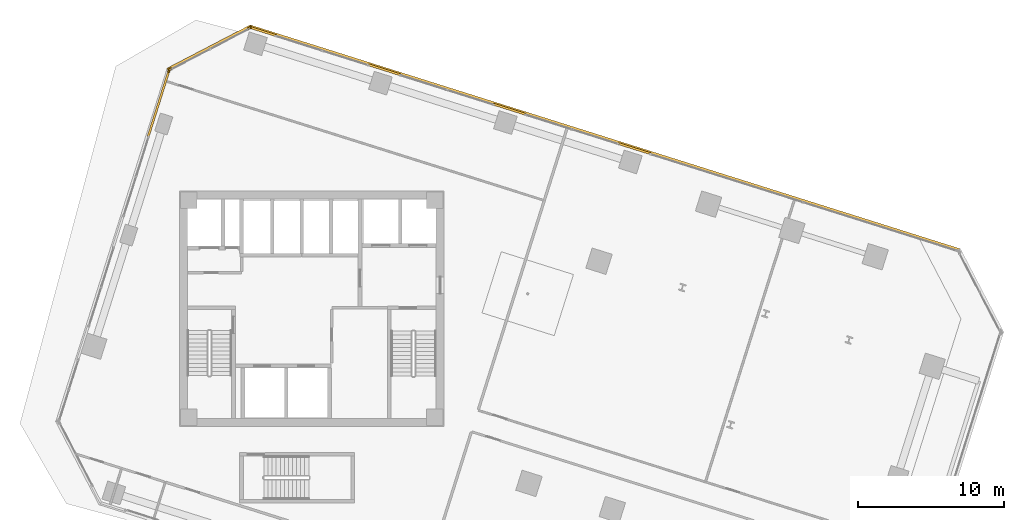
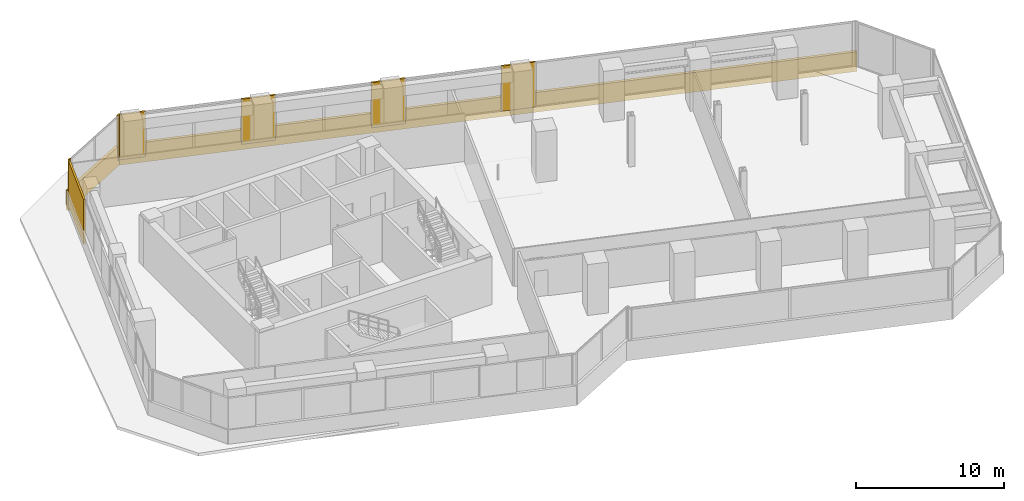
# One storey, part 27 of 28: 10 coverings.
"""IFC4 building model written with IfcOpenShell, lengths in metres."""

from ifc_helpers import new_model, si_unit, direction, frame, origin, origin_2d, place, context, subcontext, project, spatial, rectangle, extrude, source, transform, mapped, material, layer, layer_set, type_object, element, save


model = new_model("IFC4")

# Units and contexts
model_context = context("Model", 3, precision=1e-05, world=origin(), true_north=direction((0.0, 1.0)))
body_context = subcontext(model_context, "Body", "Model", "MODEL_VIEW")
ifc_project = project(units=[si_unit("LENGTHUNIT", "METRE"), si_unit("AREAUNIT", "SQUARE_METRE"), si_unit("VOLUMEUNIT", "CUBIC_METRE"), si_unit("PLANEANGLEUNIT", "RADIAN"), si_unit("MASSUNIT", "GRAM", prefix="KILO")], contexts=[model_context])

# Site, building, storey
site_placement = place(None, origin())
site = spatial("IfcSite", under=ifc_project, at=site_placement, CompositionType="ELEMENT")
building_placement = place(site_placement, origin())
building = spatial("IfcBuilding", under=site, at=building_placement, Name="Torre Montelarca", CompositionType="ELEMENT")
storey_placement = place(building_placement, frame((0.0, 0.0, 112.60009765625)))
storey = spatial("IfcBuildingStorey", under=building, at=storey_placement, Name="L25", CompositionType="ELEMENT", Elevation=112.60009765625)

# Coverings
ifc_material = material(Name="Bush-hammered warm white precast concrete C45/55", Category="concrete")
ifc_layer = layer(ifc_material, 0.139892578125, Name="Bush-hammered warm white precast concrete C45/55", Category="concrete")
ifc_layer_set = layer_set([ifc_layer], Name="Bush-hammered warm white precast concrete C45/55")
covering_type = type_object("IfcCoveringType", Name="COV-TRAY-CLAD", PredefinedType="CLADDING", material=ifc_layer_set)
shared_shape_1 = source(origin(), body_context, "Body", "SweptSolid", [
    extrude(rectangle(XDim=6.48388671875, YDim=0.219970703125, at=origin_2d()), origin(), (0.0, 0.0, 1.0), 1.6201171875),
])
covering_1_placement = place(storey_placement, frame((10.973876953125, 49.923583984375, -0.4501953125), z_axis=(0.0, 0.0, 1.0), x_axis=(-0.88701405677, -0.46174242072, 0.0)))
element("IfcCovering", 1, at=covering_1_placement, inside=storey, type_object=covering_type, Name="L25 Architectural White Spandrel Tray Band TRYBOT-09", PredefinedType="CLADDING", context=body_context, shape_type="MappedRepresentation", body=[
    mapped(shared_shape_1, transform((0.0, 0.0, 0.0), scale=1.0)),
])
shared_shape_2 = source(origin(), body_context, "Body", "SweptSolid", [
    extrude(rectangle(XDim=51.219970703125, YDim=0.219970703125, at=origin_2d()), origin(), (0.0, 0.0, 1.0), 1.6201171875),
])
covering_2_placement = place(storey_placement, frame((38.140869140625, 43.7080078125, -0.4501953125), z_axis=(0.0, 0.0, 1.0), x_axis=(-0.953717475577, 0.300704134954, 0.0)))
element("IfcCovering", 2, at=covering_2_placement, inside=storey, type_object=covering_type, Name="L25 Architectural White Spandrel Tray Band TRYBOT-08", PredefinedType="CLADDING", context=body_context, shape_type="MappedRepresentation", body=[
    mapped(shared_shape_2, transform((0.0, 0.0, 0.0), scale=1.0)),
])
shared_shape_3 = source(origin(), body_context, "Body", "SweptSolid", [
    extrude(rectangle(XDim=1.864013671875, YDim=0.139892578125, at=origin_2d()), origin(), (0.0, 0.0, 1.0), 3.719970703125),
])
covering_3_placement = place(storey_placement, frame((14.659423828125, 51.048583984375, 0.0), z_axis=(0.0, 0.0, 1.0), x_axis=(-0.953717475577, 0.300704134954, 0.0)))
element("IfcCovering", 3, at=covering_3_placement, inside=storey, type_object=covering_type, Name="L25 Architectural Column Pier Cladding E08-5", PredefinedType="CLADDING", context=body_context, shape_type="MappedRepresentation", body=[
    mapped(shared_shape_3, transform((0.0, 0.0, 0.0), scale=1.0)),
])
shared_shape_4 = source(origin(), body_context, "Body", "SweptSolid", [
    extrude(rectangle(XDim=0.199951171875, YDim=0.139892578125, at=origin_2d()), origin(), (0.0, 0.0, 1.0), 3.719970703125),
])
for number, where, z_axis, x_axis, name in (
    (4, (13.72119140625, 51.2861328125, 0.0), (0.0, 0.0, 1.0), (-0.887017280319, -0.461736228182, 0.0), "L25 Architectural Column Pier Cladding E09-1"),
    (5, (8.28173828125, 48.45458984375, 0.0), (0.0, 0.0, 1.0), (-0.887017280319, -0.461736228182, 0.0), "L25 Architectural Column Pier Cladding E09-2"),
    (6, (8.1884765625, 48.343505859375, 0.0), (0.0, 0.0, 1.0), (-0.300707464054, -0.953716425916, 0.0), "L25 Architectural Column Pier Cladding E10-1"),
):
    element("IfcCovering", number, at=place(storey_placement, frame(where, z_axis=z_axis, x_axis=x_axis)), inside=storey, type_object=covering_type, Name=name, PredefinedType="CLADDING", context=body_context, shape_type="MappedRepresentation", body=[
        mapped(shared_shape_4, transform((0.0, 0.0, 0.0), scale=1.0)),
    ])
shared_shape_5 = source(origin(), body_context, "Body", "SweptSolid", [
    extrude(rectangle(XDim=2.360107421875, YDim=0.139892578125, at=origin_2d()), origin(), (0.0, 0.0, 1.0), 3.719970703125),
])
for number, where, z_axis, x_axis, name in (
    (7, (40.17333984375, 43.004150390625, 0.0), (0.0, 0.0, 1.0), (-0.953717475577, 0.300704134954, 0.0), "L25 Architectural Column Pier Cladding E08-2"),
    (8, (31.58984375, 45.71044921875, 0.0), (0.0, 0.0, 1.0), (-0.953717475577, 0.300704134954, 0.0), "L25 Architectural Column Pier Cladding E08-3"),
    (9, (23.00634765625, 48.416748046875, 0.0), (0.0, 0.0, 1.0), (-0.953717475577, 0.300704134954, 0.0), "L25 Architectural Column Pier Cladding E08-4"),
):
    element("IfcCovering", number, at=place(storey_placement, frame(where, z_axis=z_axis, x_axis=x_axis)), inside=storey, type_object=covering_type, Name=name, PredefinedType="CLADDING", context=body_context, shape_type="MappedRepresentation", body=[
        mapped(shared_shape_5, transform((0.0, 0.0, 0.0), scale=1.0)),
    ])
shared_shape_6 = source(origin(), body_context, "Body", "SweptSolid", [
    extrude(rectangle(XDim=4.764404296875, YDim=0.139892578125, at=origin_2d()), origin(), (0.0, 0.0, 1.0), 3.719970703125),
])
covering_4_placement = place(storey_placement, frame((7.47216796875, 46.071533203125, 0.0), z_axis=(0.0, 0.0, 1.0), x_axis=(-0.300707464054, -0.953716425916, 0.0)))
element("IfcCovering", 10, at=covering_4_placement, inside=storey, type_object=covering_type, Name="L25 Architectural Column Pier Cladding E10-2", PredefinedType="CLADDING", context=body_context, shape_type="MappedRepresentation", body=[
    mapped(shared_shape_6, transform((0.0, 0.0, 0.0), scale=1.0)),
])

save(model, "model.ifc")
